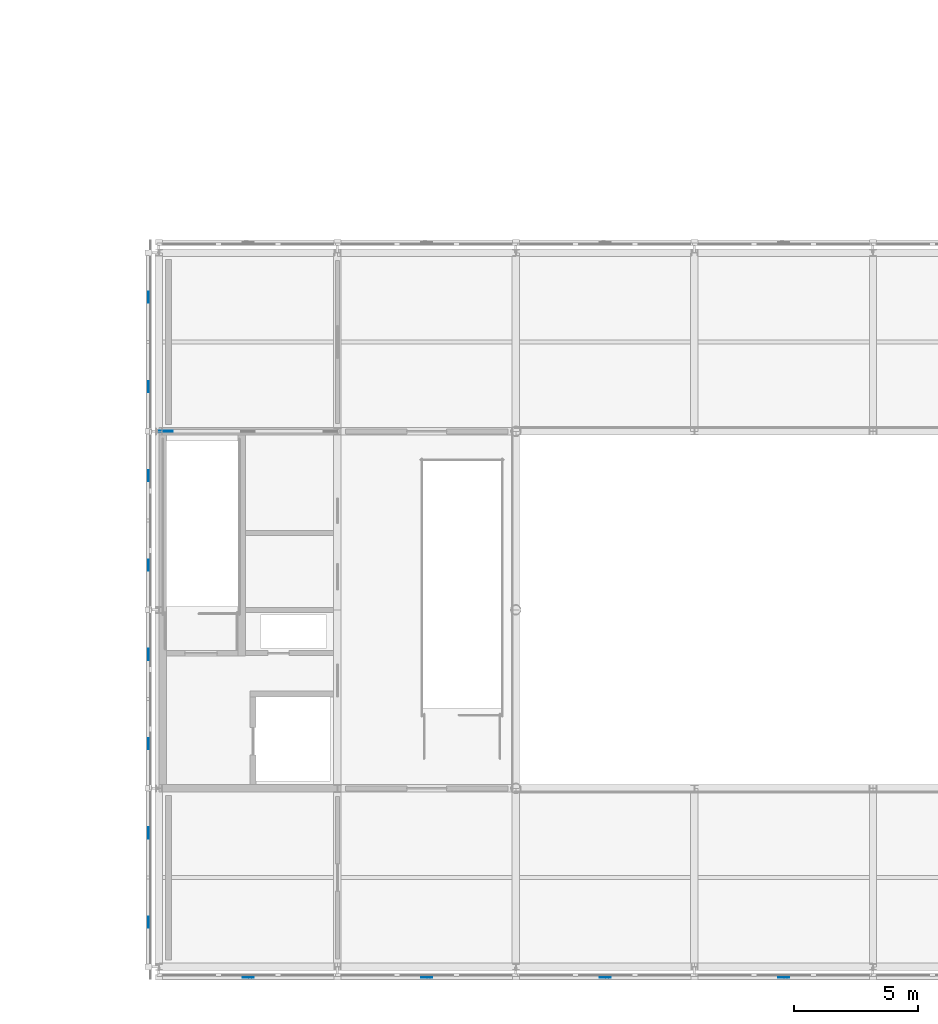
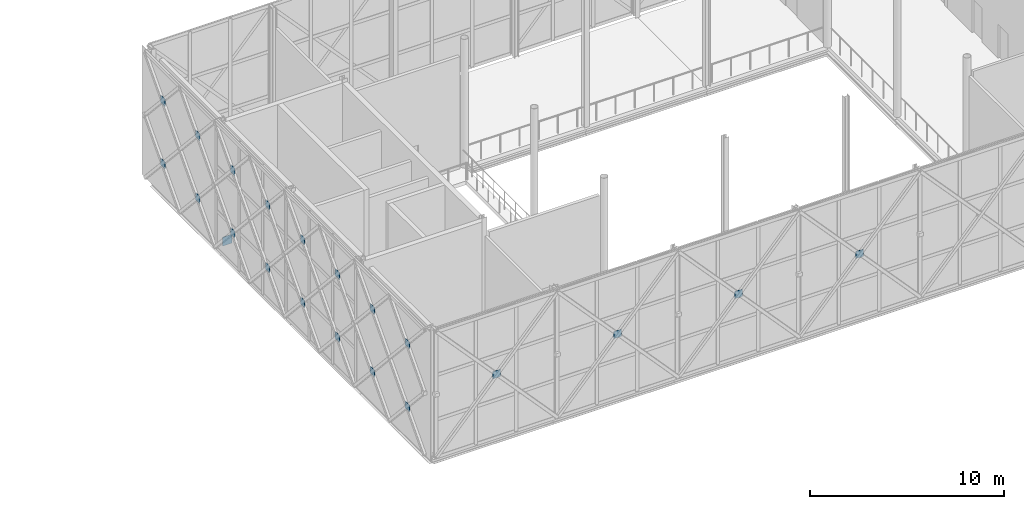
# One storey, part 59 of 76: 21 plates.
"""IFC4 building model written with IfcOpenShell, lengths in metres."""

from ifc_helpers import new_model, si_unit, direction, frame, origin, origin_2d, place, context, subcontext, project, spatial, rectangle, extrude, material, layer, layer_set, type_object, element, save


model = new_model("IFC4")

# Units and contexts
model_context = context("Model", 3, precision=1e-05, world=origin(), true_north=direction((0.0, 1.0)))
body_context = subcontext(model_context, "Body", "Model", "MODEL_VIEW")
ifc_project = project(units=[si_unit("LENGTHUNIT", "METRE"), si_unit("AREAUNIT", "SQUARE_METRE"), si_unit("VOLUMEUNIT", "CUBIC_METRE"), si_unit("PLANEANGLEUNIT", "RADIAN"), si_unit("MASSUNIT", "GRAM", prefix="KILO")], contexts=[model_context])

# Site, building, storey
site_placement = place(None, origin())
site = spatial("IfcSite", under=ifc_project, at=site_placement, CompositionType="ELEMENT")
building_placement = place(site_placement, origin())
building = spatial("IfcBuilding", under=site, at=building_placement, Name="Zlatovets Crest Museum", CompositionType="ELEMENT")
storey_placement = place(building_placement, frame((0.0, 0.0, 17.10009765625)))
storey = spatial("IfcBuildingStorey", under=building, at=storey_placement, Name="L04", CompositionType="ELEMENT", Elevation=17.10009765625)

# Plates
ifc_material = material(Name="Structural steel S355J2", Category="steel")
ifc_layer_1 = layer(ifc_material, 0.02490234375)
ifc_layer_set_1 = layer_set([ifc_layer_1], Name="Structural steel S355J2")
plate_type_1 = type_object("IfcPlateType", Name="Gusset_GP-01", PredefinedType="USERDEFINED", material=ifc_layer_set_1)
plate_placement = place(storey_placement, frame((57.8798828125, 21.60009765625, 0.0048828125), z_axis=(0.0, 0.0, 1.0), x_axis=(1.0, 0.0, 0.0)))
element("IfcPlate", 1, at=plate_placement, inside=storey, type_object=plate_type_1, Name="V2 L04 Brace End Gusset Plate GP-01", ObjectType="GUSSET", PredefinedType="USERDEFINED", context=body_context, shape_type="SweptSolid", body=[
    extrude(rectangle(XDim=0.550048828125, YDim=0.02490234375, at=origin_2d()), origin(), (0.0, 0.0, 1.0), 0.550048828125),
])
ifc_layer_2 = layer(ifc_material, 0.02001953125)
ifc_layer_set_2 = layer_set([ifc_layer_2], Name="Structural steel S355J2")
plate_type_2 = type_object("IfcPlateType", Name="Gusset_GP-04", PredefinedType="USERDEFINED", material=ifc_layer_set_2)
for number, where, z_axis, x_axis, name in (
    (2, (61.199951171875, -0.419921875, 3.82470703125), (0.0, 0.0, 1.0), (1.0, 0.0, 0.0), "X-Brace Crossing Node Gusset Plate GP-04"),
    (3, (68.39990234375, -0.419921875, 3.82470703125), (0.0, 0.0, 1.0), (1.0, 0.0, 0.0), "X-Brace Crossing Node Gusset Plate GP-04"),
    (4, (75.60009765625, -0.419921875, 3.82470703125), (0.0, 0.0, 1.0), (1.0, 0.0, 0.0), "X-Brace Crossing Node Gusset Plate GP-04"),
    (5, (82.800048828125, -0.419921875, 3.82470703125), (0.0, 0.0, 1.0), (1.0, 0.0, 0.0), "X-Brace Crossing Node Gusset Plate GP-04"),
):
    element("IfcPlate", number, at=place(storey_placement, frame(where, z_axis=z_axis, x_axis=x_axis)), inside=storey, type_object=plate_type_2, Name=name, ObjectType="GUSSET", PredefinedType="USERDEFINED", context=body_context, shape_type="SweptSolid", body=[
        extrude(rectangle(XDim=0.449951171875, YDim=0.02001953125, at=origin_2d()), origin(), (0.0, 0.0, 1.0), 0.449951171875),
    ])
for number, where, z_axis, x_axis, name in (
    (6, (57.179931640625, 27.0, 1.85009765625), (0.0, 0.0, 1.0), (1.0, 0.0, 0.0), "X-Brace Crossing Node Gusset Plate GP-04"),
    (7, (57.179931640625, 23.39990234375, 1.85009765625), (0.0, 0.0, 1.0), (1.0, 0.0, 0.0), "X-Brace Crossing Node Gusset Plate GP-04"),
    (8, (57.179931640625, 27.0, 5.7998046875), (0.0, 0.0, 1.0), (1.0, 0.0, 0.0), "X-Brace Crossing Node Gusset Plate GP-04"),
    (9, (57.179931640625, 23.39990234375, 5.7998046875), (0.0, 0.0, 1.0), (1.0, 0.0, 0.0), "X-Brace Crossing Node Gusset Plate GP-04"),
    (10, (57.179931640625, 19.800048828125, 1.85009765625), (0.0, 0.0, 1.0), (1.0, 0.0, 0.0), "X-Brace Crossing Node Gusset Plate GP-04"),
    (11, (57.179931640625, 16.199951171875, 1.85009765625), (0.0, 0.0, 1.0), (1.0, 0.0, 0.0), "X-Brace Crossing Node Gusset Plate GP-04"),
    (12, (57.179931640625, 19.800048828125, 5.7998046875), (0.0, 0.0, 1.0), (1.0, 0.0, 0.0), "X-Brace Crossing Node Gusset Plate GP-04"),
    (13, (57.179931640625, 16.199951171875, 5.7998046875), (0.0, 0.0, 1.0), (1.0, 0.0, 0.0), "X-Brace Crossing Node Gusset Plate GP-04"),
    (14, (57.179931640625, 12.60009765625, 1.85009765625), (0.0, 0.0, 1.0), (1.0, 0.0, 0.0), "X-Brace Crossing Node Gusset Plate GP-04"),
    (15, (57.179931640625, 9.0, 1.85009765625), (0.0, 0.0, 1.0), (1.0, 0.0, 0.0), "X-Brace Crossing Node Gusset Plate GP-04"),
    (16, (57.179931640625, 12.60009765625, 5.7998046875), (0.0, 0.0, 1.0), (1.0, 0.0, 0.0), "X-Brace Crossing Node Gusset Plate GP-04"),
    (17, (57.179931640625, 9.0, 5.7998046875), (0.0, 0.0, 1.0), (1.0, 0.0, 0.0), "X-Brace Crossing Node Gusset Plate GP-04"),
    (18, (57.179931640625, 5.39990234375, 1.85009765625), (0.0, 0.0, 1.0), (1.0, 0.0, 0.0), "X-Brace Crossing Node Gusset Plate GP-04"),
    (19, (57.179931640625, 1.800048828125, 1.85009765625), (0.0, 0.0, 1.0), (1.0, 0.0, 0.0), "X-Brace Crossing Node Gusset Plate GP-04"),
    (20, (57.179931640625, 5.39990234375, 5.7998046875), (0.0, 0.0, 1.0), (1.0, 0.0, 0.0), "X-Brace Crossing Node Gusset Plate GP-04"),
    (21, (57.179931640625, 1.800048828125, 5.7998046875), (0.0, 0.0, 1.0), (1.0, 0.0, 0.0), "X-Brace Crossing Node Gusset Plate GP-04"),
):
    element("IfcPlate", number, at=place(storey_placement, frame(where, z_axis=z_axis, x_axis=x_axis)), inside=storey, type_object=plate_type_2, Name=name, ObjectType="GUSSET", PredefinedType="USERDEFINED", context=body_context, shape_type="SweptSolid", body=[
        extrude(rectangle(XDim=0.02001953125, YDim=0.449951171875, at=origin_2d()), origin(), (0.0, 0.0, 1.0), 0.449951171875),
    ])

save(model, "model.ifc")
